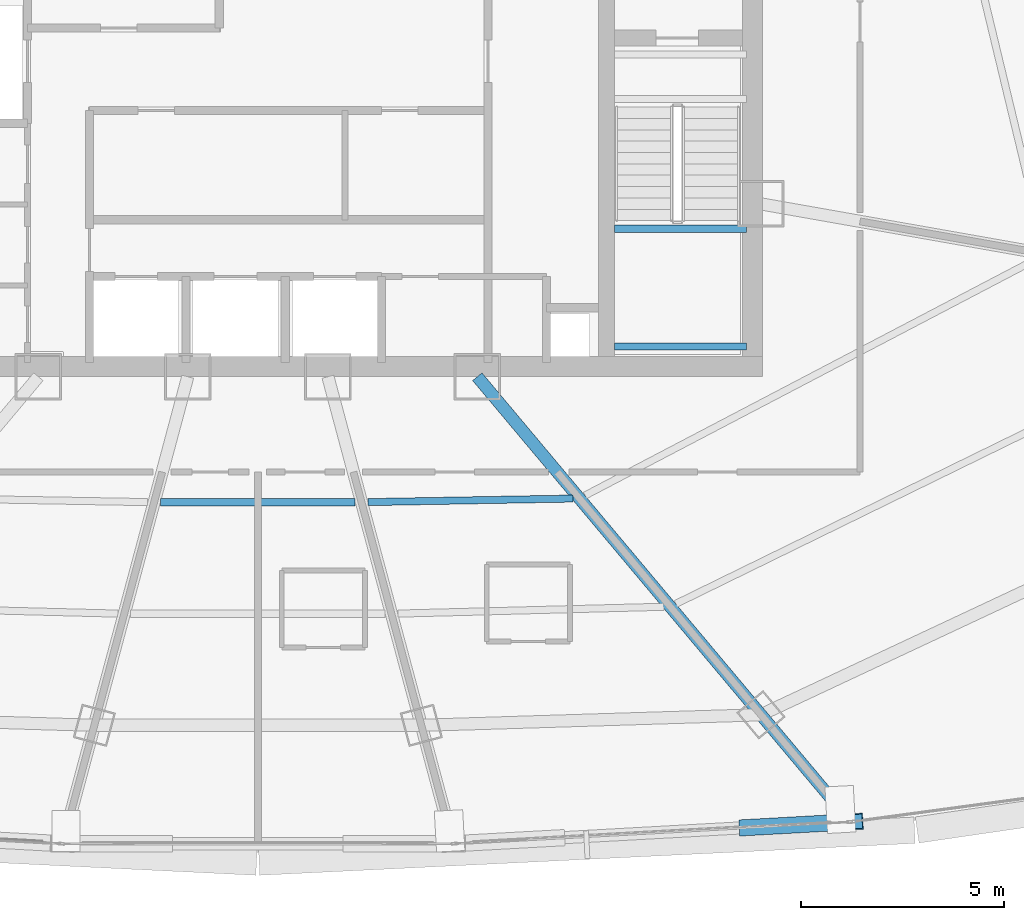
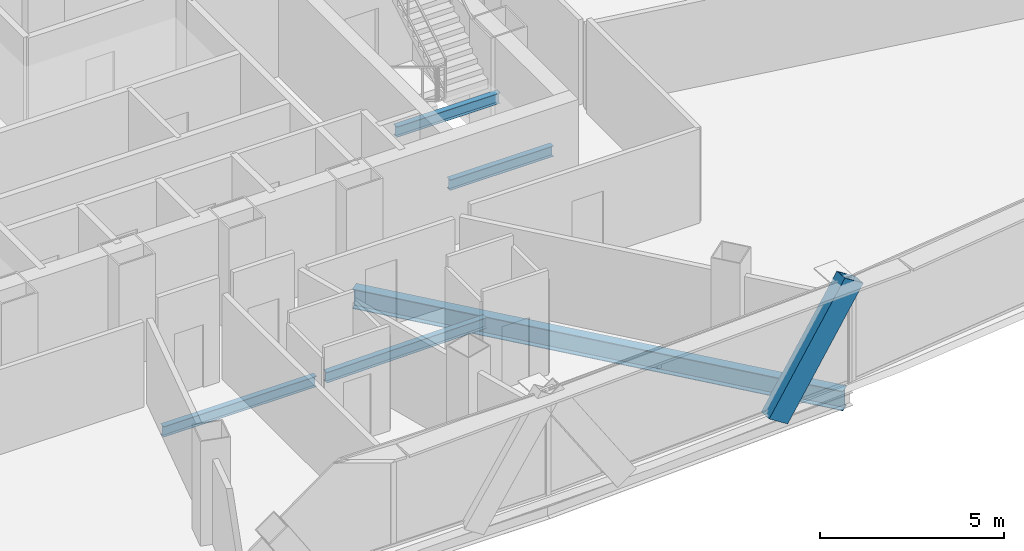
# One storey, part 11 of 35: 5 beams, 1 member.
"""IFC4 building model written with IfcOpenShell, lengths in metres."""

from ifc_helpers import new_model, si_unit, direction, frame, origin, origin_2d, place, context, subcontext, project, spatial, hollow_rectangle, i_section, extrude, source, transform, mapped, material, material_profile, profile_set, type_object, element, save


model = new_model("IFC4")

# Units and contexts
model_context = context("Model", 3, precision=1e-05, world=origin(), true_north=direction((0.0, 1.0)))
body_context = subcontext(model_context, "Body", "Model", "MODEL_VIEW")
ifc_project = project(units=[si_unit("LENGTHUNIT", "METRE"), si_unit("AREAUNIT", "SQUARE_METRE"), si_unit("VOLUMEUNIT", "CUBIC_METRE"), si_unit("PLANEANGLEUNIT", "RADIAN"), si_unit("MASSUNIT", "GRAM", prefix="KILO"), si_unit("THERMODYNAMICTEMPERATUREUNIT", "KELVIN"), si_unit("POWERUNIT", "WATT")], contexts=[model_context])

# Site, building, storey
site_placement = place(None, origin())
site = spatial("IfcSite", under=ifc_project, at=site_placement, CompositionType="ELEMENT")
building_placement = place(site_placement, origin())
building = spatial("IfcBuilding", under=site, at=building_placement, Name="Yunzhuo Pagoda Commons", CompositionType="ELEMENT")
storey_placement = place(building_placement, frame((0.0, 0.0, 237.070068359375)))
storey = spatial("IfcBuildingStorey", under=building, at=storey_placement, Name="L59", CompositionType="ELEMENT", Elevation=237.070068359375)

# Beams
ifc_material = material(Name="Structural steel Q355B", Category="steel")
ifc_material_profile_1 = material_profile(ifc_material, i_section(OverallWidth=0.175048828125, OverallDepth=0.35009765625, WebThickness=0.007080078125, FlangeThickness=0.010986328125, at=origin_2d()), Name="Structural steel Q355B")
ifc_profile_set_1 = profile_set([ifc_material_profile_1], Name="Structural steel Q355B")
beam_type_1 = type_object("IfcBeamType", Name="B-JS2 Joist HN 350x175x7x11", PredefinedType="JOIST", material=ifc_profile_set_1)
shared_shape_1 = source(origin(), body_context, "Body", "SweptSolid", [
    extrude(i_section(OverallWidth=0.175048828125, OverallDepth=0.35009765625, WebThickness=0.007080078125, FlangeThickness=0.010986328125, at=origin_2d()), origin(), (0.0, 0.0, 1.0), 3.25),
])
for number, where, z_axis, x_axis, name in (
    (1, (56.800048828125, 28.0, 1.489990234375), (1.0, 0.0, 0.0), (0.0, 1.0, 0.0), "L59 ST2 landing support beam 65A"),
    (2, (56.800048828125, 30.89990234375, 1.489990234375), (1.0, 0.0, 0.0), (0.0, 1.0, 0.0), "L59 ST2 landing support beam 65B"),
):
    element("IfcBeam", number, at=place(storey_placement, frame(where, z_axis=z_axis, x_axis=x_axis)), inside=storey, type_object=beam_type_1, Name=name, PredefinedType="JOIST", context=body_context, shape_type="MappedRepresentation", body=[
        mapped(shared_shape_1, transform((0.0, 0.0, 0.0), scale=1.0)),
    ])
ifc_material_profile_2 = material_profile(ifc_material, i_section(OverallWidth=0.300048828125, OverallDepth=0.64990234375, WebThickness=0.012939453125, FlangeThickness=0.02197265625, at=origin_2d()), Name="Structural steel Q355B")
ifc_profile_set_2 = profile_set([ifc_material_profile_2], Name="Structural steel Q355B")
beam_type_2 = type_object("IfcBeamType", Name="B-RG2 Beam HN 650x300x13x22", PredefinedType="BEAM", material=ifc_profile_set_2)
shared_shape_2 = source(origin(), body_context, "Body", "SweptSolid", [
    extrude(i_section(OverallWidth=0.300048828125, OverallDepth=0.64990234375, WebThickness=0.012939453125, FlangeThickness=0.02197265625, at=origin_2d()), origin(), (0.0, 0.0, 1.0), 14.174072265625),
])
beam_1_placement = place(storey_placement, frame((62.52294921875, 16.39208984375, -0.5849609375), z_axis=(-0.642786427105, 0.766045435421, 0.0), x_axis=(-0.766045435421, -0.642786427105, 0.0)))
element("IfcBeam", 3, at=beam_1_placement, inside=storey, type_object=beam_type_2, Name="L59 radial floor girder F1C4", PredefinedType="BEAM", context=body_context, shape_type="MappedRepresentation", body=[
    mapped(shared_shape_2, transform((0.0, 0.0, 0.0), scale=1.0)),
])
shared_shape_3 = source(origin(), body_context, "Body", "SweptSolid", [
    extrude(i_section(OverallWidth=0.175048828125, OverallDepth=0.35009765625, WebThickness=0.007080078125, FlangeThickness=0.010986328125, at=origin_2d()), origin(), (0.0, 0.0, 1.0), 5.0556640625),
])
beam_2_placement = place(storey_placement, frame((50.716552734375, 24.158203125, -0.43505859375), z_axis=(0.999848878561, 0.017384477, 0.0), x_axis=(-0.017384477, 0.999848878561, 0.0)))
element("IfcBeam", 4, at=beam_2_placement, inside=storey, type_object=beam_type_1, Name="L59 composite ring joist 1.3", PredefinedType="JOIST", context=body_context, shape_type="MappedRepresentation", body=[
    mapped(shared_shape_3, transform((0.0, 0.0, 0.0), scale=1.0)),
])
shared_shape_4 = source(origin(), body_context, "Body", "SweptSolid", [
    extrude(i_section(OverallWidth=0.175048828125, OverallDepth=0.35009765625, WebThickness=0.007080078125, FlangeThickness=0.010986328125, at=origin_2d()), origin(), (0.0, 0.0, 1.0), 4.796875),
])
beam_3_placement = place(storey_placement, frame((45.601806640625, 24.155517578125, -0.43505859375), z_axis=(1.0, 0.0, 0.0), x_axis=(0.0, 1.0, 0.0)))
element("IfcBeam", 5, at=beam_3_placement, inside=storey, type_object=beam_type_1, Name="L59 composite ring joist 1.2", PredefinedType="JOIST", context=body_context, shape_type="MappedRepresentation", body=[
    mapped(shared_shape_4, transform((0.0, 0.0, 0.0), scale=1.0)),
])

# Member
ifc_material_profile_3 = material_profile(ifc_material, hollow_rectangle(XDim=0.39990234375, YDim=0.719970703125, WallThickness=0.02392578125, at=origin_2d()), Name="Structural steel Q355B")
ifc_profile_set_3 = profile_set([ifc_material_profile_3], Name="Structural steel Q355B")
member_type = type_object("IfcMemberType", Name="M-DL2 Brace BOX 720x400x24", PredefinedType="BRACE", material=ifc_profile_set_3)
shared_shape_5 = source(origin(), body_context, "Body", "SweptSolid", [
    extrude(hollow_rectangle(XDim=0.39990234375, YDim=0.719970703125, WallThickness=0.02392578125, at=origin_2d()), origin(), (0.0, 0.0, 1.0), 4.4658203125),
])
member_placement = place(storey_placement, frame((60.170654296875, 16.138427734375, -0.260009765625), z_axis=(0.549085219878, 0.030286062506, 0.835217442184), x_axis=(-0.05507359548, 0.998482297831, 0.0)))
element("IfcMember", 6, at=member_placement, inside=storey, type_object=member_type, Name="L59 facade diamond brace F1.3R", PredefinedType="BRACE", context=body_context, shape_type="MappedRepresentation", body=[
    mapped(shared_shape_5, transform((0.0, 0.0, 0.0), scale=1.0)),
])

save(model, "model.ifc")
